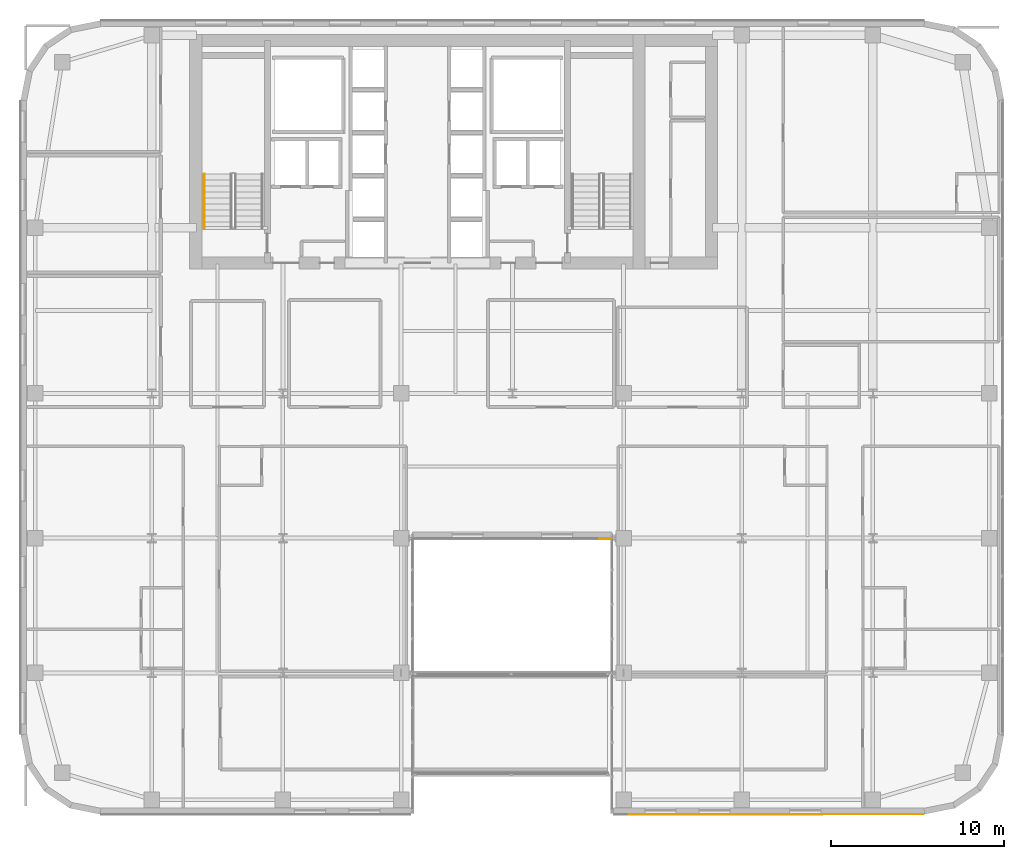
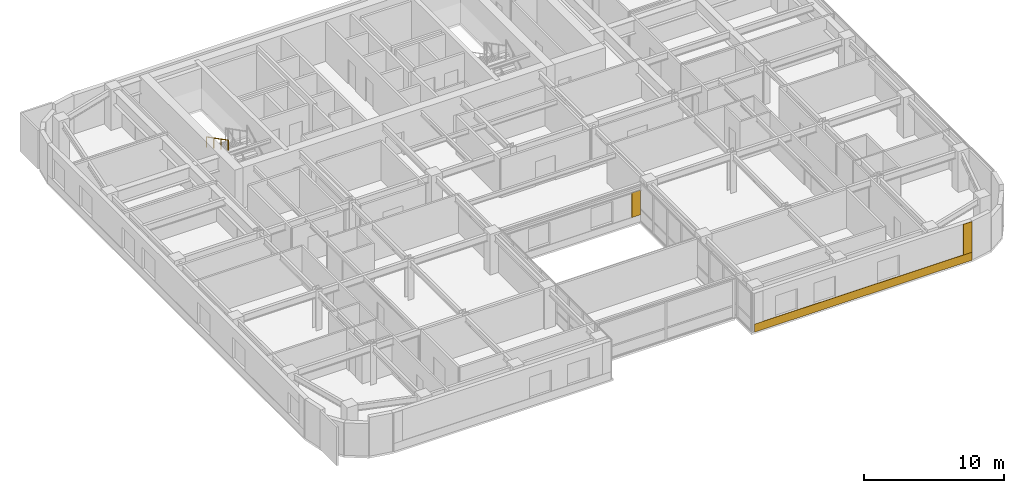
# One storey, part 28 of 31: 3 coverings, 1 railing.
"""IFC4 building model written with IfcOpenShell, lengths in metres."""

from ifc_helpers import new_model, si_unit, direction, frame, origin, origin_2d, place, context, subcontext, project, spatial, polyline, circle, outline, extrude, material, layer, layer_set, type_object, element, save


model = new_model("IFC4")

# Units and contexts
model_context = context("Model", 3, precision=1e-05, world=origin(), true_north=direction((0.0, 1.0)))
body_context = subcontext(model_context, "Body", "Model", "MODEL_VIEW")
ifc_project = project(units=[si_unit("LENGTHUNIT", "METRE"), si_unit("AREAUNIT", "SQUARE_METRE"), si_unit("VOLUMEUNIT", "CUBIC_METRE"), si_unit("PLANEANGLEUNIT", "RADIAN"), si_unit("MASSUNIT", "GRAM", prefix="KILO")], contexts=[model_context])

# Site, building, storey
site_placement = place(None, origin())
site = spatial("IfcSite", under=ifc_project, at=site_placement, CompositionType="ELEMENT")
building_placement = place(site_placement, origin())
building = spatial("IfcBuilding", under=site, at=building_placement, Name="Tolvann Quenvar Hotel", CompositionType="ELEMENT")
storey_placement = place(building_placement, frame((0.0, 0.0, 125.75)))
storey = spatial("IfcBuildingStorey", under=building, at=storey_placement, Name="L32", CompositionType="ELEMENT", Elevation=125.75)

# Coverings
ifc_material_1 = material(Name="Kiln-fired red architectural face brick cladding", Category="masonry")
ifc_layer_1 = layer(ifc_material_1, 0.0400390625)
ifc_layer_set_1 = layer_set([ifc_layer_1], Name="Kiln-fired red architectural face brick cladding")
covering_type_1 = type_object("IfcCoveringType", Name="COV_CLAD_BRICK_40", PredefinedType="CLADDING", material=ifc_layer_set_1)
covering_1_placement = place(storey_placement, frame((0.0, 0.0, 0.6044921875)))
element("IfcCovering", 1, at=covering_1_placement, inside=storey, type_object=covering_type_1, Name="Brick Pier Cladding (L32-E06-P2)", PredefinedType="CLADDING", context=body_context, shape_type="SweptSolid", body=[
    extrude(outline(polyline([(33.5400390625, 16.0), (34.239990234375, 16.0), (34.239990234375, 15.9599609375), (33.5400390625, 15.9599609375), (33.5400390625, 16.0)])), origin(), (0.0, 0.0, 1.0), 2.1435546875),
])
covering_2_placement = place(storey_placement, frame((0.0, 0.0, 0.699951171875)))
element("IfcCovering", 2, at=covering_2_placement, inside=storey, type_object=covering_type_1, Name="Brick Pier Cladding (L32-E08-P2)", PredefinedType="CLADDING", context=body_context, shape_type="SweptSolid", body=[
    extrude(outline(polyline([(51.6328125, 0.0), (52.332763671875, 0.0), (52.332763671875, -0.0400390625), (51.6328125, -0.0400390625), (51.6328125, 0.0)])), origin(), (0.0, 0.0, 1.0), 2.670166015625),
])
ifc_material_2 = material(Name="Moulded buff architectural terracotta spandrel cladding", Category="masonry")
ifc_layer_2 = layer(ifc_material_2, 0.0400390625)
ifc_layer_set_2 = layer_set([ifc_layer_2], Name="Moulded buff architectural terracotta spandrel cladding")
covering_type_2 = type_object("IfcCoveringType", Name="COV_CLAD_TERRA_40", PredefinedType="CLADDING", material=ifc_layer_set_2)
covering_3_placement = place(storey_placement, origin())
element("IfcCovering", 3, at=covering_3_placement, inside=storey, type_object=covering_type_2, Name="Terracotta Spandrel Cladding (L32-E08)", PredefinedType="CLADDING", context=body_context, shape_type="SweptSolid", body=[
    extrude(outline(polyline([(34.4150390625, 0.0), (52.3427734375, 0.0), (52.3427734375, -0.0400390625), (34.4150390625, -0.0400390625), (34.4150390625, 0.0)])), origin(), (0.0, 0.0, 1.0), 0.699951171875),
])

# Railing
ifc_material_3 = material(Name="Brushed 316 stainless steel balustrade and handrail", Category="steel")
railing_type = type_object("IfcRailingType", Name="HANDRAIL", PredefinedType="HANDRAIL", material=ifc_material_3)
railing_placement = place(storey_placement, frame((10.64990234375, 37.10498046875, 1.952392578125)))
element("IfcRailing", 4, at=railing_placement, inside=storey, type_object=railing_type, Name="L32 ST-C1 stair handrail 2", PredefinedType="HANDRAIL", context=body_context, shape_type="SweptSolid", body=[
    extrude(circle(Radius=0.02392578125, at=origin_2d()), frame((0.0, 0.0, 0.8759765625), z_axis=(0.0, -0.88919353882, 0.457531256332), x_axis=(1.0, 0.0, 0.0)), (0.0, 0.0, 1.0), 3.491943359375),
    extrude(circle(Radius=0.02099609375, at=origin_2d()), origin(), (0.0, 0.0, 1.0), 0.851806640625),
    extrude(circle(Radius=0.02099609375, at=origin_2d()), frame((0.0, -1.034912109375, 0.532470703125)), (0.0, 0.0, 1.0), 0.851806640625),
    extrude(circle(Radius=0.02099609375, at=origin_2d()), frame((0.0, -2.070068359375, 1.065185546875)), (0.0, 0.0, 1.0), 0.851806640625),
    extrude(circle(Radius=0.02099609375, at=origin_2d()), frame((0.0, -3.10498046875, 1.59765625)), (0.0, 0.0, 1.0), 0.851806640625),
])

save(model, "model.ifc")
